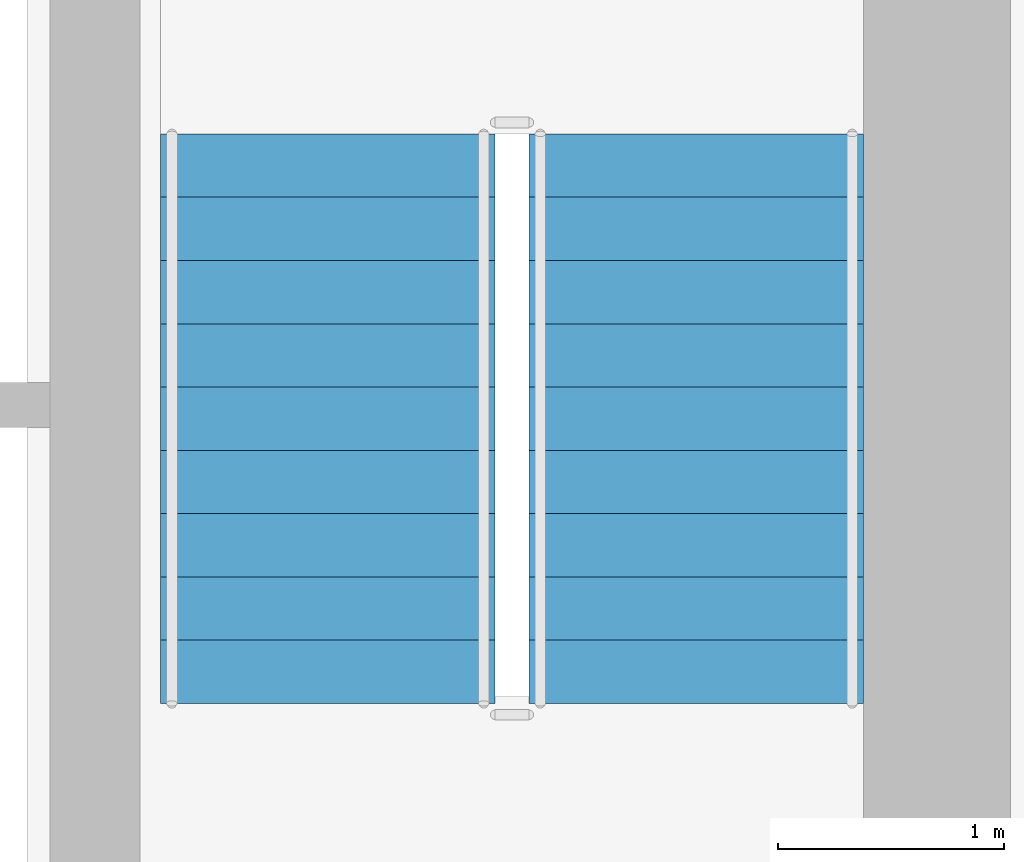
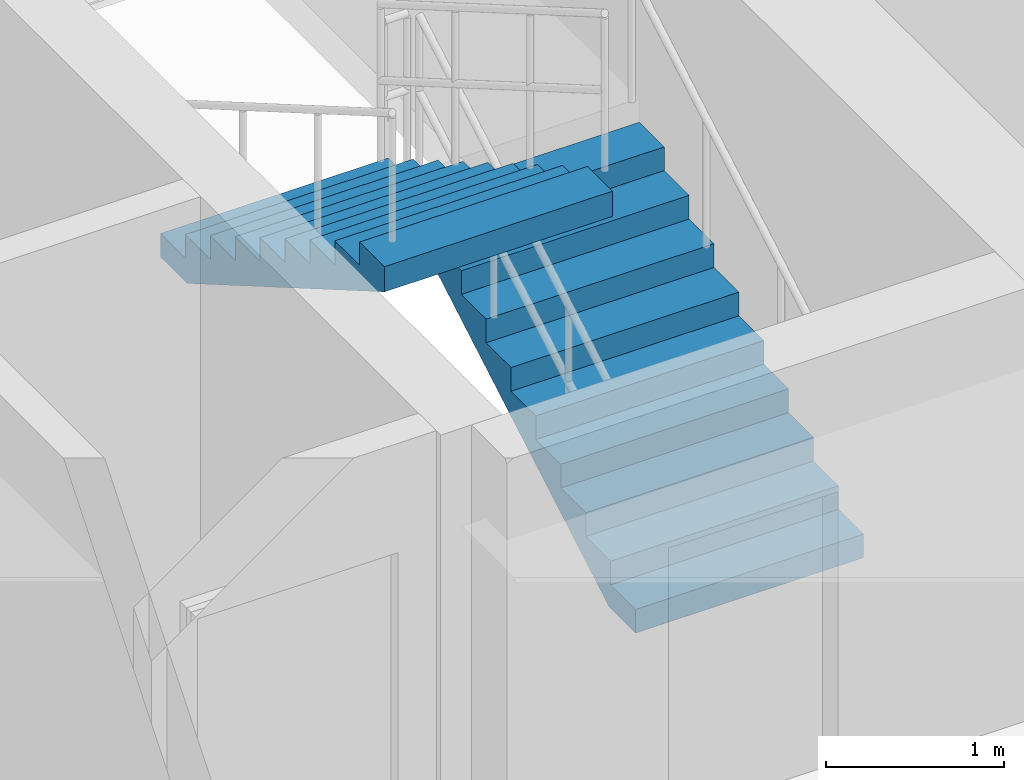
# One storey, part 28 of 30: 2 stair flights, 1 element without a shape of its own.
"""IFC4 building model written with IfcOpenShell, lengths in metres."""

from ifc_helpers import new_model, si_unit, direction, frame, origin, place, context, subcontext, project, spatial, polyline, outline, extrude, material, type_object, element, aggregate, save


model = new_model("IFC4")

# Units and contexts
model_context = context("Model", 3, precision=1e-05, world=origin(), true_north=direction((0.0, 1.0)))
body_context = subcontext(model_context, "Body", "Model", "MODEL_VIEW")
ifc_project = project(units=[si_unit("LENGTHUNIT", "METRE"), si_unit("AREAUNIT", "SQUARE_METRE"), si_unit("VOLUMEUNIT", "CUBIC_METRE"), si_unit("PLANEANGLEUNIT", "RADIAN"), si_unit("MASSUNIT", "GRAM", prefix="KILO")], contexts=[model_context])

# Site, building, storey
site_placement = place(None, origin())
site = spatial("IfcSite", under=ifc_project, at=site_placement, CompositionType="ELEMENT")
building_placement = place(site_placement, origin())
building = spatial("IfcBuilding", under=site, at=building_placement, Name="Veraguas Prism Commons", CompositionType="ELEMENT")
storey_placement = place(building_placement, frame((0.0, 0.0, 95.949951171875)))
storey = spatial("IfcBuildingStorey", under=building, at=storey_placement, Name="L26", CompositionType="ELEMENT", Elevation=95.949951171875)

# Stair, stair flights
ifc_material = material(Name="Precast concrete C45/55", Category="concrete")
stair_type = type_object("IfcStairType", Name="Dogleg Core Stair 1480W 20R 05", PredefinedType="HALF_TURN_STAIR", material=ifc_material)
stair_placement = place(storey_placement, origin())
stair = element("IfcStair", 1, at=stair_placement, inside=storey, type_object=stair_type, Name="Protected Exit Stair ST-02 L26", PredefinedType="HALF_TURN_STAIR")
stair_flight_type = type_object("IfcStairFlightType", Name="Precast Stair Flight 1480W 10R 05", PredefinedType="STRAIGHT", material=ifc_material)
stair_flight_1_placement = place(storey_placement, frame((29.659912109375, 21.280029296875, 0.0), z_axis=(0.0, 0.0, 1.0), x_axis=(0.0, 1.0, 0.0)))
stair_flight_1 = element("IfcStairFlight", 2, at=stair_flight_1_placement, type_object=stair_flight_type, Name="ST-05 Flight 1", NumberOfRisers=10, NumberOfTreads=9, PredefinedType="STRAIGHT", RiserHeight=0.1625, TreadLength=0.28, context=body_context, shape_type="SweptSolid", body=[
    extrude(outline(polyline([(0.0, 0.0), (0.0, 0.16259765625), (0.280029296875, 0.16259765625), (0.280029296875, 0.324951171875), (0.56005859375, 0.324951171875), (0.56005859375, 0.487548828125), (0.840087890625, 0.487548828125), (0.840087890625, 0.64990234375), (1.1201171875, 0.64990234375), (1.1201171875, 0.8125), (1.39990234375, 0.8125), (1.39990234375, 0.97509765625), (1.679931640625, 0.97509765625), (1.679931640625, 1.137451171875), (1.9599609375, 1.137451171875), (1.9599609375, 1.300048828125), (2.239990234375, 1.300048828125), (2.239990234375, 1.46240234375), (2.52001953125, 1.46240234375), (2.52001953125, 1.625), (2.52001953125, 1.2890625), (0.298583984375, 0.0), (0.0, 0.0)])), frame((0.0, 0.739990234375, 0.0), z_axis=(0.0, -1.0, 0.0), x_axis=(1.0, 0.0, 0.0)), (0.0, 0.0, 1.0), 1.47998046875),
])
stair_flight_2_placement = place(storey_placement, frame((28.030029296875, 23.800048828125, 1.625), z_axis=(0.0, 0.0, 1.0), x_axis=(0.0, -1.0, 0.0)))
stair_flight_2 = element("IfcStairFlight", 3, at=stair_flight_2_placement, type_object=stair_flight_type, Name="ST-05 Flight 2", NumberOfRisers=10, NumberOfTreads=9, PredefinedType="STRAIGHT", RiserHeight=0.1625, TreadLength=0.28, context=body_context, shape_type="SweptSolid", body=[
    extrude(outline(polyline([(0.0, 0.0), (0.0, 0.16259765625), (0.280029296875, 0.16259765625), (0.280029296875, 0.324951171875), (0.56005859375, 0.324951171875), (0.56005859375, 0.487548828125), (0.840087890625, 0.487548828125), (0.840087890625, 0.64990234375), (1.1201171875, 0.64990234375), (1.1201171875, 0.8125), (1.39990234375, 0.8125), (1.39990234375, 0.97509765625), (1.679931640625, 0.97509765625), (1.679931640625, 1.137451171875), (1.9599609375, 1.137451171875), (1.9599609375, 1.300048828125), (2.239990234375, 1.300048828125), (2.239990234375, 1.46240234375), (2.52001953125, 1.46240234375), (2.52001953125, 1.625), (2.52001953125, 1.2890625), (0.298583984375, 0.0), (0.0, 0.0)])), frame((0.0, 0.739990234375, 0.0), z_axis=(0.0, -1.0, 0.0), x_axis=(1.0, 0.0, 0.0)), (0.0, 0.0, 1.0), 1.47998046875),
])
aggregate(stair, [stair_flight_1, stair_flight_2])

save(model, "model.ifc")
